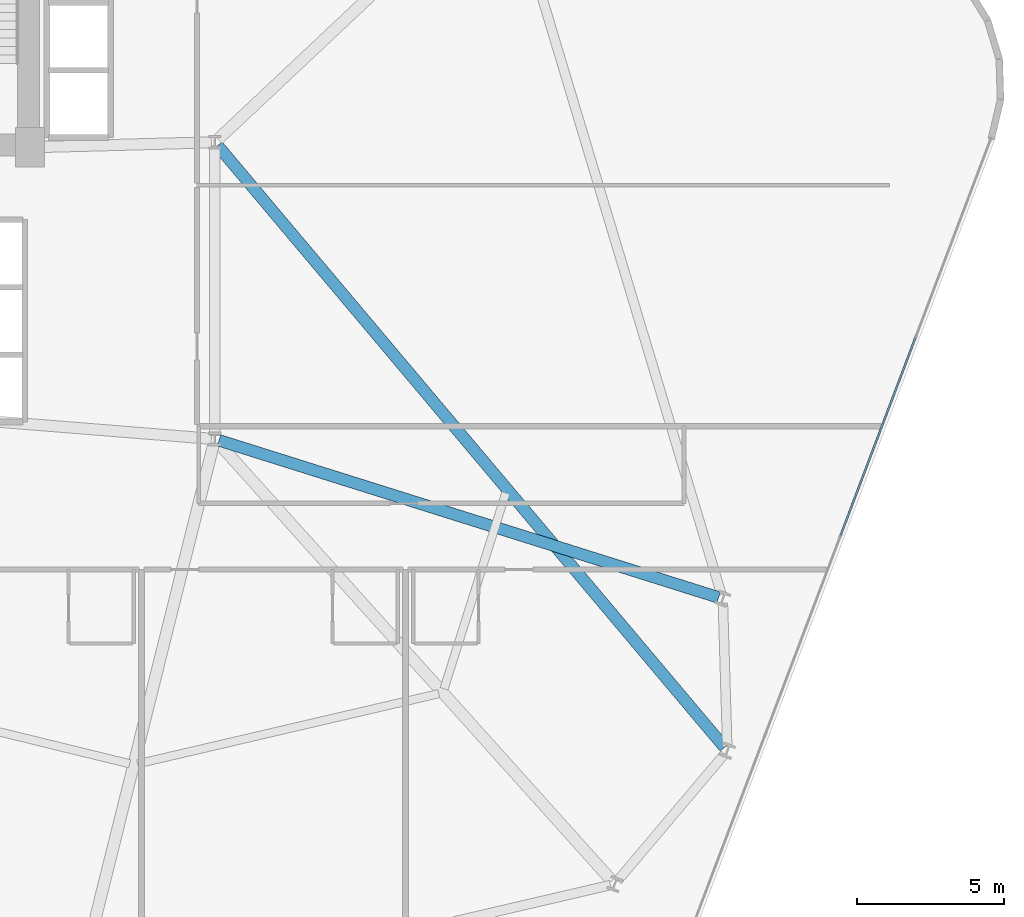
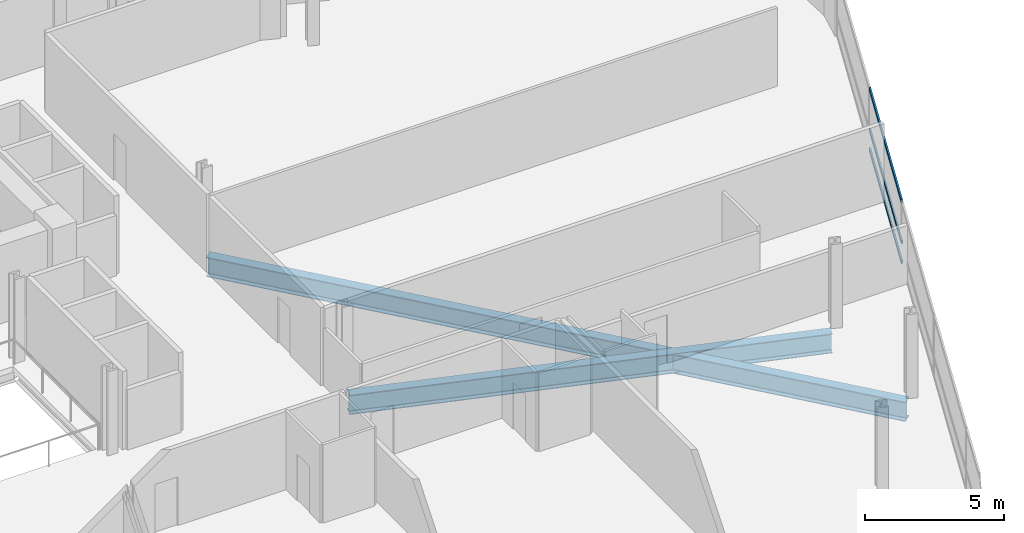
# One storey, part 13 of 26: 3 members, 2 beams, 1 element without a shape of its own.
"""IFC4 building model written with IfcOpenShell, lengths in metres."""

from ifc_helpers import new_model, si_unit, direction, frame, origin, origin_2d, place, context, subcontext, project, spatial, hollow_rectangle, i_section, extrude, material, layer, layer_set, material_profile, profile_set, type_object, element, aggregate, save


model = new_model("IFC4")

# Units and contexts
model_context = context("Model", 3, precision=1e-05, world=origin(), true_north=direction((0.0, 1.0)))
body_context = subcontext(model_context, "Body", "Model", "MODEL_VIEW")
ifc_project = project(units=[si_unit("LENGTHUNIT", "METRE"), si_unit("AREAUNIT", "SQUARE_METRE"), si_unit("VOLUMEUNIT", "CUBIC_METRE"), si_unit("PLANEANGLEUNIT", "RADIAN"), si_unit("MASSUNIT", "GRAM", prefix="KILO")], contexts=[model_context])

# Site, building, storey
site_placement = place(None, origin())
site = spatial("IfcSite", under=ifc_project, at=site_placement, CompositionType="ELEMENT")
building_placement = place(site_placement, origin())
building = spatial("IfcBuilding", under=site, at=building_placement, Name="Varnelok Gate Tower", CompositionType="ELEMENT")
storey_placement = place(building_placement, frame((0.0, 0.0, 109.5)))
storey = spatial("IfcBuildingStorey", under=building, at=storey_placement, Name="L27", CompositionType="ELEMENT", Elevation=109.5)

# Beams
ifc_material_1 = material(Name="Structural Steel ASTM A992 Grade 50", Category="steel")
ifc_material_profile_1 = material_profile(ifc_material_1, i_section(OverallWidth=0.39892578125, OverallDepth=0.85498046875, WebThickness=0.018310546875, FlangeThickness=0.029296875, FilletRadius=0.02392578125, at=origin_2d()), Name="W33X201")
ifc_profile_set_1 = profile_set([ifc_material_profile_1], Name="Structural Steel ASTM A992 Grade 50")
beam_type = type_object("IfcBeamType", Name="BM-PRI-W33X201", PredefinedType="BEAM", material=ifc_profile_set_1)
beam_1_placement = place(storey_placement, frame((54.0966796875, 28.805419921875, -0.677490234375), z_axis=(0.644241110533, -0.764822457502, 0.0), x_axis=(0.764822457502, 0.644241110533, 0.0)))
element("IfcBeam", 1, at=beam_1_placement, inside=storey, type_object=beam_type, Name="L27 Radial Floor Girder 7", PredefinedType="BEAM", context=body_context, shape_type="SweptSolid", body=[
    extrude(i_section(OverallWidth=0.39892578125, OverallDepth=0.85498046875, WebThickness=0.018310546875, FlangeThickness=0.029296875, FilletRadius=0.02392578125, at=origin_2d()), origin(), (0.0, 0.0, 1.0), 26.8271484375),
])
beam_2_placement = place(storey_placement, frame((54.14306640625, 18.7548828125, -0.677490234375), z_axis=(0.953948561039, -0.299970236678, 0.0), x_axis=(0.299970236678, 0.953948561039, 0.0)))
element("IfcBeam", 2, at=beam_2_placement, inside=storey, type_object=beam_type, Name="L27 Radial Floor Girder 8", PredefinedType="BEAM", context=body_context, shape_type="SweptSolid", body=[
    extrude(i_section(OverallWidth=0.39892578125, OverallDepth=0.85498046875, WebThickness=0.018310546875, FlangeThickness=0.029296875, FilletRadius=0.02392578125, at=origin_2d()), origin(), (0.0, 0.0, 1.0), 17.85498046875),
])

# Curtain wall, members
ifc_material_2 = material(Name="Anodized Aluminum Alloy 6063-T6", Category="aluminium")
ifc_layer = layer(ifc_material_2, 0.179931640625)
ifc_layer_set = layer_set([ifc_layer], Name="Anodized Aluminum Alloy 6063-T6")
curtain_wall_type = type_object("IfcCurtainWallType", Name="CW3-HOTEL-VISION", PredefinedType="USERDEFINED", material=ifc_layer_set)
curtain_wall_placement = place(storey_placement, origin())
curtain_wall = element("IfcCurtainWall", 3, at=curtain_wall_placement, inside=storey, type_object=curtain_wall_type, Name="L27 East End Vision Curtain Wall", ObjectType="UNITISED CURTAIN WALL", PredefinedType="USERDEFINED")
ifc_material_profile_2 = material_profile(ifc_material_2, hollow_rectangle(XDim=0.06494140625, YDim=0.159912109375, WallThickness=0.00390625, at=origin_2d()), Name="ALU160X65X4")
ifc_profile_set_2 = profile_set([ifc_material_profile_2], Name="Anodized Aluminum Alloy 6063-T6")
member_type = type_object("IfcMemberType", Name="CW-TRAN-160", PredefinedType="USERDEFINED", material=ifc_profile_set_2)
member_1_placement = place(storey_placement, frame((77.8798828125, 22.233642578125, 0.032470703125), z_axis=(-0.354048963644, -0.935226887628, 0.0), x_axis=(0.935226887628, -0.354048963644, 0.0)))
member_1 = element("IfcMember", 4, at=member_1_placement, type_object=member_type, Name="CW3 transom 2.1", ObjectType="TRANSOM", PredefinedType="USERDEFINED", context=body_context, shape_type="SweptSolid", body=[
    extrude(hollow_rectangle(XDim=0.06494140625, YDim=0.159912109375, WallThickness=0.00390625, at=origin_2d()), origin(), (0.0, 0.0, 1.0), 7.175048828125),
])
member_2_placement = place(storey_placement, frame((77.8798828125, 22.233642578125, 0.89990234375), z_axis=(-0.354048963644, -0.935226887628, 0.0), x_axis=(0.935226887628, -0.354048963644, 0.0)))
member_2 = element("IfcMember", 5, at=member_2_placement, type_object=member_type, Name="CW3 transom 2.2", ObjectType="TRANSOM", PredefinedType="USERDEFINED", context=body_context, shape_type="SweptSolid", body=[
    extrude(hollow_rectangle(XDim=0.06494140625, YDim=0.159912109375, WallThickness=0.00390625, at=origin_2d()), origin(), (0.0, 0.0, 1.0), 7.175048828125),
])
member_3_placement = place(storey_placement, frame((77.8798828125, 22.233642578125, 2.697509765625), z_axis=(-0.354048963644, -0.935226887628, 0.0), x_axis=(0.935226887628, -0.354048963644, 0.0)))
member_3 = element("IfcMember", 6, at=member_3_placement, type_object=member_type, Name="CW3 transom 2.3", ObjectType="TRANSOM", PredefinedType="USERDEFINED", context=body_context, shape_type="SweptSolid", body=[
    extrude(hollow_rectangle(XDim=0.06494140625, YDim=0.159912109375, WallThickness=0.00390625, at=origin_2d()), origin(), (0.0, 0.0, 1.0), 7.175048828125),
])
aggregate(curtain_wall, [member_1, member_2, member_3])

save(model, "model.ifc")
